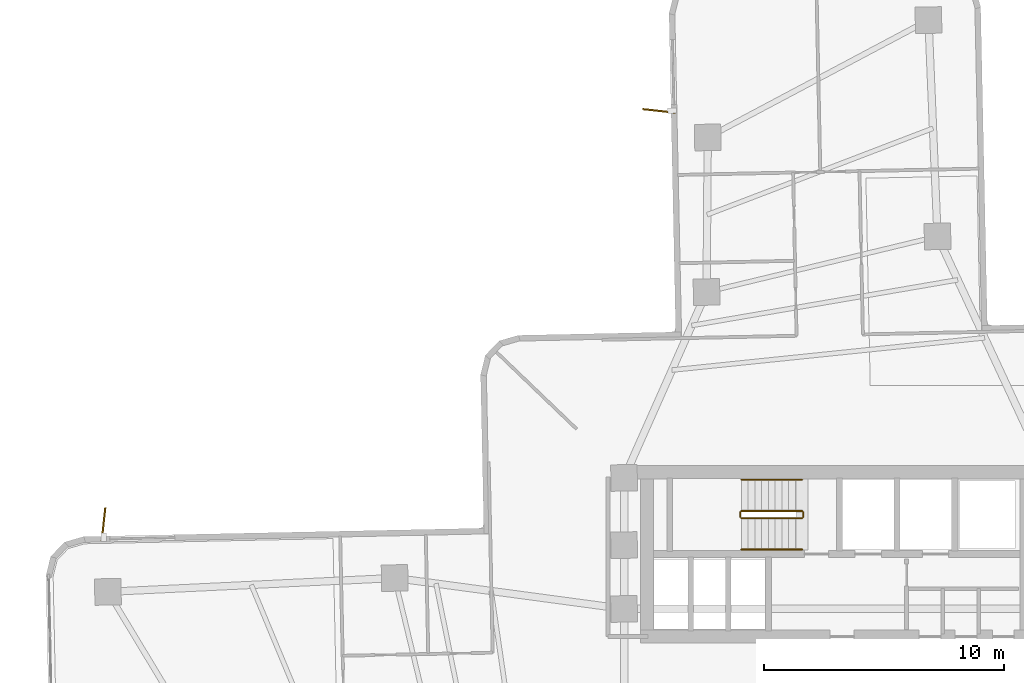
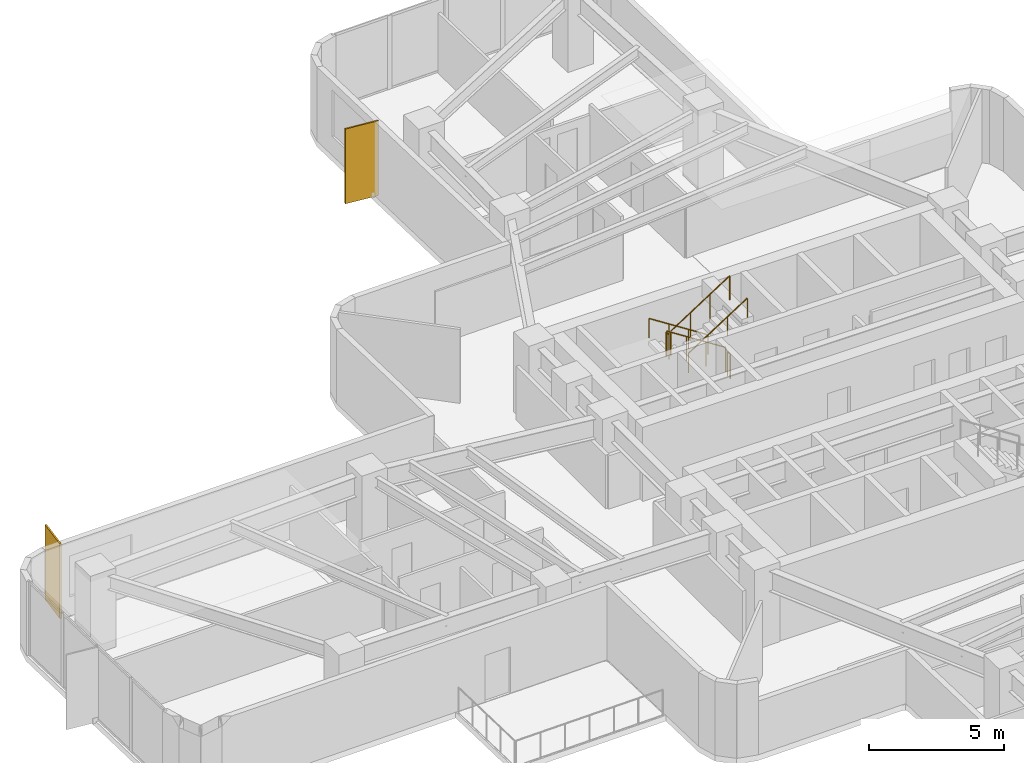
# One storey, part 14 of 15: 6 railings, 2 shading devices.
"""IFC4 building model written with IfcOpenShell, lengths in metres."""

from ifc_helpers import new_model, si_unit, direction, frame, origin, origin_2d, place, context, subcontext, project, spatial, rectangle, circle, extrude, material, layer, layer_set, type_object, element, save


model = new_model("IFC4")

# Units and contexts
model_context = context("Model", 3, precision=1e-05, world=origin(), true_north=direction((0.0, 1.0)))
body_context = subcontext(model_context, "Body", "Model", "MODEL_VIEW")
ifc_project = project(units=[si_unit("LENGTHUNIT", "METRE"), si_unit("AREAUNIT", "SQUARE_METRE"), si_unit("VOLUMEUNIT", "CUBIC_METRE"), si_unit("PLANEANGLEUNIT", "RADIAN"), si_unit("MASSUNIT", "GRAM", prefix="KILO")], contexts=[model_context])

# Site, building, storey
site_placement = place(None, origin())
site = spatial("IfcSite", under=ifc_project, at=site_placement, CompositionType="ELEMENT")
building_placement = place(site_placement, origin())
building = spatial("IfcBuilding", under=site, at=building_placement, Name="Solmarez Civic Tower", CompositionType="ELEMENT")
storey_placement = place(building_placement, frame((0.0, 0.0, 38.8798828125)))
storey = spatial("IfcBuildingStorey", under=building, at=storey_placement, Name="L09", CompositionType="ELEMENT", Elevation=38.8798828125)

# Shading devices
ifc_material_1 = material(Name="Bronze Anodised Aluminium EN AW-6063 T6", Category="aluminium")
ifc_layer = layer(ifc_material_1, 0.06494140625)
ifc_layer_set = layer_set([ifc_layer], Name="Bronze Anodised Aluminium EN AW-6063 T6")
shading_device_type = type_object("IfcShadingDeviceType", Name="FIN-BRONZE-Z12", PredefinedType="USERDEFINED", material=ifc_layer_set)
for number, where, z_axis, x_axis, name in (
    (1, (-30.5, 6.427978515625, -0.039794921875), (0.0, 0.0, 1.0), (0.109005670239, 0.994041127849, 0.0), "L09 Anodised Bronze Solar Fin FIN-L09-02"),
    (2, (-7.39990234375, 23.610107421875, -0.039794921875), (0.0, 0.0, 1.0), (-0.994043030206, 0.108988320932, 0.0), "L09 Anodised Bronze Solar Fin FIN-L09-03"),
):
    element("IfcShadingDevice", number, at=place(storey_placement, frame(where, z_axis=z_axis, x_axis=x_axis)), inside=storey, type_object=shading_device_type, Name=name, ObjectType="FIN", PredefinedType="USERDEFINED", context=body_context, shape_type="SweptSolid", body=[
        extrude(rectangle(XDim=1.35009765625, YDim=0.06494140625, at=origin_2d()), origin(), (0.0, 0.0, 1.0), 3.3798828125),
    ])

# Railings
ifc_material_2 = material(Name="Painted Steel Stairwell Safety Guard", Category="steel")
railing_type_1 = type_object("IfcRailingType", Name="GUARD-STAIR-1120", PredefinedType="BALUSTRADE", material=ifc_material_2)
railing_1_placement = place(storey_placement, frame((-1.449951171875, 6.969970703125, 0.18017578125)))
element("IfcRailing", 3, at=railing_1_placement, inside=storey, type_object=railing_type_1, Name="L09 ST-1 stair guard 1", PredefinedType="BALUSTRADE", context=body_context, shape_type="SweptSolid", body=[
    extrude(circle(Radius=0.02392578125, at=origin_2d()), frame((0.0, 0.0, 1.09619140625), z_axis=(-0.841199657755, 0.0, 0.540724639528), x_axis=(0.0, -1.0, 0.0)), (0.0, 0.0, 1.0), 2.995849609375),
    extrude(circle(Radius=0.02099609375, at=origin_2d()), origin(), (0.0, 0.0, 1.0), 1.072021484375),
    extrude(circle(Radius=0.02099609375, at=origin_2d()), frame((-0.840087890625, 0.0, 0.5400390625)), (0.0, 0.0, 1.0), 1.072021484375),
    extrude(circle(Radius=0.02099609375, at=origin_2d()), frame((-1.679931640625, 0.0, 1.079833984375)), (0.0, 0.0, 1.0), 1.072021484375),
    extrude(circle(Radius=0.02099609375, at=origin_2d()), frame((-2.52001953125, 0.0, 1.619873046875)), (0.0, 0.0, 1.0), 1.072021484375),
])
railing_2_placement = place(storey_placement, frame((-4.02001953125, 6.919921875, 1.800048828125)))
element("IfcRailing", 4, at=railing_2_placement, inside=storey, type_object=railing_type_1, Name="L09 ST-1 stair guard 2", PredefinedType="BALUSTRADE", context=body_context, shape_type="SweptSolid", body=[
    extrude(circle(Radius=0.02392578125, at=origin_2d()), frame((0.0, 0.0, 1.09619140625), z_axis=(0.0, -1.0, 0.0), x_axis=(1.0, 0.0, 0.0)), (0.0, 0.0, 1.0), 0.199951171875),
    extrude(circle(Radius=0.02099609375, at=origin_2d()), origin(), (0.0, 0.0, 1.0), 1.072021484375),
    extrude(circle(Radius=0.02099609375, at=origin_2d()), frame((0.0, -0.199951171875, 0.0)), (0.0, 0.0, 1.0), 1.072021484375),
])
railing_3_placement = place(storey_placement, frame((-3.969970703125, 6.669921875, 1.980224609375)))
element("IfcRailing", 5, at=railing_3_placement, inside=storey, type_object=railing_type_1, Name="L09 ST-1 stair guard 3", PredefinedType="BALUSTRADE", context=body_context, shape_type="SweptSolid", body=[
    extrude(circle(Radius=0.02392578125, at=origin_2d()), frame((0.0, 0.0, 1.09619140625), z_axis=(0.841199657755, 0.0, 0.540724639528), x_axis=(0.0, 1.0, 0.0)), (0.0, 0.0, 1.0), 2.995849609375),
    extrude(circle(Radius=0.02099609375, at=origin_2d()), origin(), (0.0, 0.0, 1.0), 1.072021484375),
    extrude(circle(Radius=0.02099609375, at=origin_2d()), frame((0.840087890625, 0.0, 0.5400390625)), (0.0, 0.0, 1.0), 1.072021484375),
    extrude(circle(Radius=0.02099609375, at=origin_2d()), frame((1.679931640625, 0.0, 1.079833984375)), (0.0, 0.0, 1.0), 1.072021484375),
    extrude(circle(Radius=0.02099609375, at=origin_2d()), frame((2.52001953125, 0.0, 1.619873046875)), (0.0, 0.0, 1.0), 1.072021484375),
])
railing_4_placement = place(storey_placement, frame((-1.39990234375, 6.919921875, 0.0)))
element("IfcRailing", 6, at=railing_4_placement, inside=storey, type_object=railing_type_1, Name="L09 ST-1 stair guard 4", PredefinedType="BALUSTRADE", context=body_context, shape_type="SweptSolid", body=[
    extrude(circle(Radius=0.02392578125, at=origin_2d()), frame((0.0, 0.0, 1.09619140625), z_axis=(0.0, -1.0, 0.0), x_axis=(1.0, 0.0, 0.0)), (0.0, 0.0, 1.0), 0.199951171875),
    extrude(circle(Radius=0.02099609375, at=origin_2d()), origin(), (0.0, 0.0, 1.0), 1.072021484375),
    extrude(circle(Radius=0.02099609375, at=origin_2d()), frame((0.0, -0.199951171875, 0.0)), (0.0, 0.0, 1.0), 1.072021484375),
])
ifc_material_3 = material(Name="Brushed Stainless Steel Tube Handrail", Category="steel")
railing_type_2 = type_object("IfcRailingType", Name="HANDRAIL-STAIR-900", PredefinedType="HANDRAIL", material=ifc_material_3)
railing_5_placement = place(storey_placement, frame((-1.449951171875, 8.27001953125, 0.18017578125)))
element("IfcRailing", 7, at=railing_5_placement, inside=storey, type_object=railing_type_2, Name="L09 ST-1 stair handrail 1", PredefinedType="HANDRAIL", context=body_context, shape_type="SweptSolid", body=[
    extrude(circle(Radius=0.02392578125, at=origin_2d()), frame((0.0, 0.0, 0.8759765625), z_axis=(-0.841199657755, 0.0, 0.540724639528), x_axis=(0.0, -1.0, 0.0)), (0.0, 0.0, 1.0), 2.995849609375),
    extrude(circle(Radius=0.02099609375, at=origin_2d()), origin(), (0.0, 0.0, 1.0), 0.851806640625),
    extrude(circle(Radius=0.02099609375, at=origin_2d()), frame((-0.840087890625, 0.0, 0.5400390625)), (0.0, 0.0, 1.0), 0.851806640625),
    extrude(circle(Radius=0.02099609375, at=origin_2d()), frame((-1.679931640625, 0.0, 1.079833984375)), (0.0, 0.0, 1.0), 0.851806640625),
    extrude(circle(Radius=0.02099609375, at=origin_2d()), frame((-2.52001953125, 0.0, 1.619873046875)), (0.0, 0.0, 1.0), 0.851806640625),
])
railing_6_placement = place(storey_placement, frame((-3.969970703125, 5.3701171875, 1.980224609375)))
element("IfcRailing", 8, at=railing_6_placement, inside=storey, type_object=railing_type_2, Name="L09 ST-1 stair handrail 2", PredefinedType="HANDRAIL", context=body_context, shape_type="SweptSolid", body=[
    extrude(circle(Radius=0.02392578125, at=origin_2d()), frame((0.0, 0.0, 0.8759765625), z_axis=(0.841199657755, 0.0, 0.540724639528), x_axis=(0.0, 1.0, 0.0)), (0.0, 0.0, 1.0), 2.995849609375),
    extrude(circle(Radius=0.02099609375, at=origin_2d()), origin(), (0.0, 0.0, 1.0), 0.851806640625),
    extrude(circle(Radius=0.02099609375, at=origin_2d()), frame((0.840087890625, 0.0, 0.5400390625)), (0.0, 0.0, 1.0), 0.851806640625),
    extrude(circle(Radius=0.02099609375, at=origin_2d()), frame((1.679931640625, 0.0, 1.079833984375)), (0.0, 0.0, 1.0), 0.851806640625),
    extrude(circle(Radius=0.02099609375, at=origin_2d()), frame((2.52001953125, 0.0, 1.619873046875)), (0.0, 0.0, 1.0), 0.851806640625),
])

save(model, "model.ifc")
